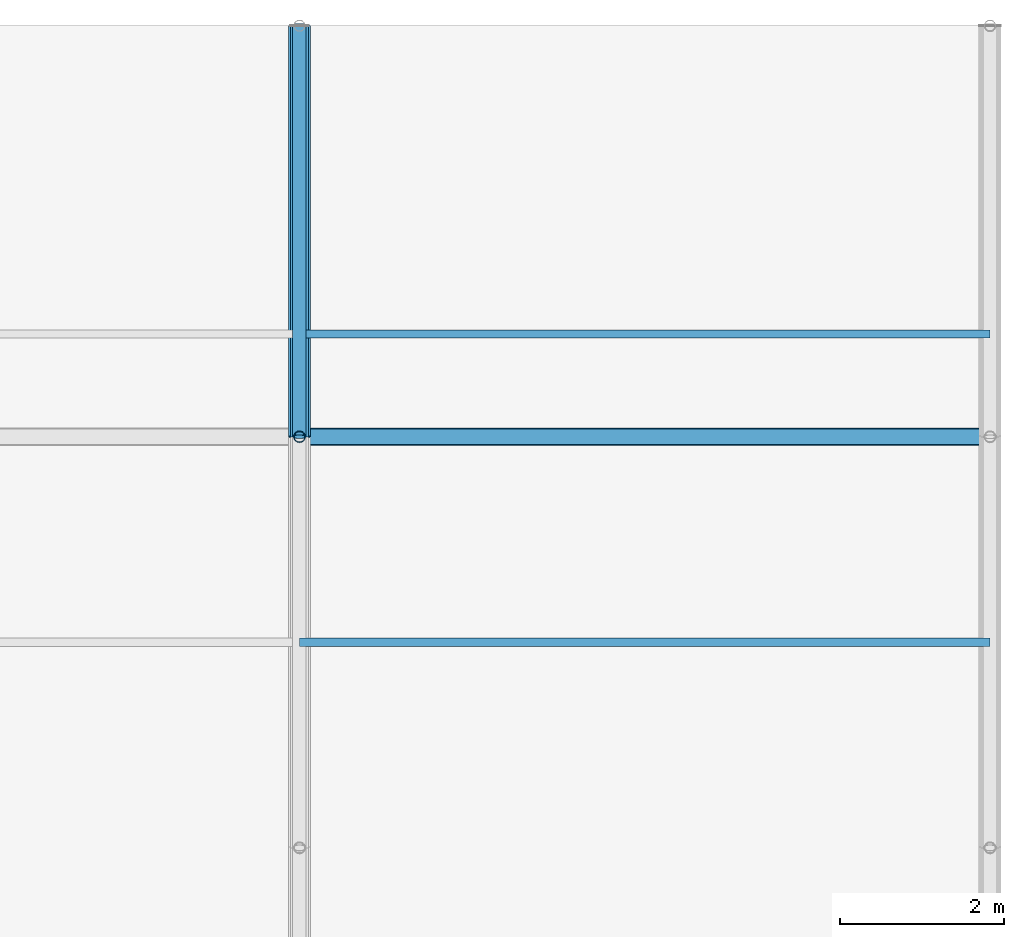
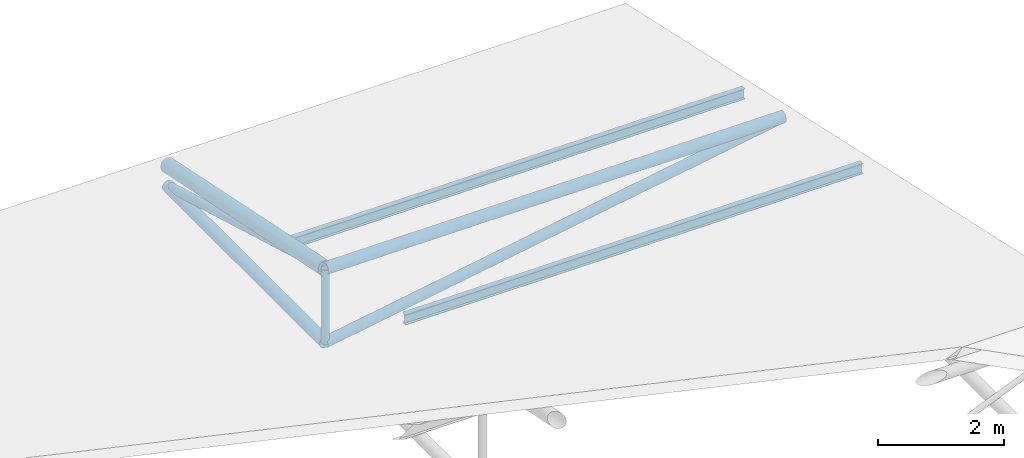
# One storey, part 112 of 194: 6 members, 2 beams.
"""IFC4 building model written with IfcOpenShell, lengths in metres."""

from ifc_helpers import new_model, si_unit, direction, frame, origin, origin_2d, place, context, subcontext, project, spatial, hollow_circle, i_section, extrude, material, material_profile, profile_set, type_object, element, save


model = new_model("IFC4")

# Units and contexts
model_context = context("Model", 3, precision=1e-05, world=origin(), true_north=direction((0.0, 1.0)))
body_context = subcontext(model_context, "Body", "Model", "MODEL_VIEW")
ifc_project = project(units=[si_unit("LENGTHUNIT", "METRE"), si_unit("AREAUNIT", "SQUARE_METRE"), si_unit("VOLUMEUNIT", "CUBIC_METRE"), si_unit("PLANEANGLEUNIT", "RADIAN"), si_unit("MASSUNIT", "GRAM", prefix="KILO")], contexts=[model_context])

# Site, building, storey
site_placement = place(None, origin())
site = spatial("IfcSite", under=ifc_project, at=site_placement, CompositionType="ELEMENT")
building_placement = place(site_placement, origin())
building = spatial("IfcBuilding", under=site, at=building_placement, Name="Kazenagashi Tramway Depot", CompositionType="ELEMENT")
storey_placement = place(building_placement, frame((0.0, 0.0, 23.7)))
storey = spatial("IfcBuildingStorey", under=building, at=storey_placement, Name="ROOF", CompositionType="ELEMENT", Elevation=23.7)

# Beams
ifc_material_1 = material(Name="Steel SN400B", Category="steel")
ifc_material_profile_1 = material_profile(ifc_material_1, i_section(OverallWidth=0.1, OverallDepth=0.2, WebThickness=0.0055, FlangeThickness=0.008, at=origin_2d()), Name="H-200x100x5.5x8")
ifc_profile_set_1 = profile_set([ifc_material_profile_1], Name="Steel SN400B")
beam_type = type_object("IfcBeamType", Name="PR-01", PredefinedType="USERDEFINED", material=ifc_profile_set_1)
for number, where, z_axis, x_axis, name in (
    (1, (187.6, 122.5, -12.13), (1.0, 0.0, 0.0), (0.0, 1.0, 0.0), "Beam PR-01 BM-2215"),
    (2, (187.6, 126.25, -12.955), (1.0, 0.0, 0.0), (0.0, 1.0, 0.0), "Beam PR-01 BM-2233"),
):
    element("IfcBeam", number, at=place(storey_placement, frame(where, z_axis=z_axis, x_axis=x_axis)), inside=storey, type_object=beam_type, Name=name, ObjectType="PURLIN", PredefinedType="USERDEFINED", context=body_context, shape_type="SweptSolid", body=[
        extrude(i_section(OverallWidth=0.1, OverallDepth=0.2, WebThickness=0.0055, FlangeThickness=0.008, at=origin_2d()), origin(), (0.0, 0.0, 1.0), 8.4),
    ])

# Members
ifc_material_2 = material(Name="Steel STK490", Category="steel")
ifc_material_profile_2 = material_profile(ifc_material_2, hollow_circle(Radius=0.1337, WallThickness=0.0093, at=origin_2d()), Name="CHS-267.4x9.3")
ifc_profile_set_2 = profile_set([ifc_material_profile_2], Name="Steel STK490")
member_type_1 = type_object("IfcMemberType", Name="TC-01", PredefinedType="CHORD", material=ifc_profile_set_2)
member_1_placement = place(storey_placement, frame((187.6, 125.0, -12.667), z_axis=(0.0, 0.979317999984, -0.202327098797), x_axis=(-1.0, 0.0, 0.0)))
element("IfcMember", 3, at=member_1_placement, inside=storey, type_object=member_type_1, Name="Tubular Space Frame TC-01 MEM-1084", PredefinedType="CHORD", context=body_context, shape_type="SweptSolid", body=[
    extrude(hollow_circle(Radius=0.1337, WallThickness=0.0093, at=origin_2d()), origin(), (0.0, 0.0, 1.0), 5.105594),
])
ifc_material_profile_3 = material_profile(ifc_material_2, hollow_circle(Radius=0.10815, WallThickness=0.0082, at=origin_2d()), Name="CHS-216.3x8.2")
ifc_profile_set_3 = profile_set([ifc_material_profile_3], Name="Steel STK490")
member_type_2 = type_object("IfcMemberType", Name="TC-02", PredefinedType="CHORD", material=ifc_profile_set_3)
member_2_placement = place(storey_placement, frame((187.6, 125.0, -14.1), z_axis=(0.0, 1.0, 0.0), x_axis=(-1.0, 0.0, 0.0)))
element("IfcMember", 4, at=member_2_placement, inside=storey, type_object=member_type_2, Name="Tubular Space Frame TC-02 MEM-1085", PredefinedType="CHORD", context=body_context, shape_type="SweptSolid", body=[
    extrude(hollow_circle(Radius=0.10815, WallThickness=0.0082, at=origin_2d()), origin(), (0.0, 0.0, 1.0), 5.0),
])
member_3_placement = place(storey_placement, frame((187.6, 125.0, -12.667), z_axis=(1.0, 0.0, 0.0), x_axis=(0.0, 1.0, 0.0)))
element("IfcMember", 5, at=member_3_placement, inside=storey, type_object=member_type_2, Name="Tubular Space Frame TC-02 MEM-1097", PredefinedType="CHORD", context=body_context, shape_type="SweptSolid", body=[
    extrude(hollow_circle(Radius=0.10815, WallThickness=0.0082, at=origin_2d()), origin(), (0.0, 0.0, 1.0), 8.4),
])
ifc_material_profile_4 = material_profile(ifc_material_2, hollow_circle(Radius=0.0826, WallThickness=0.0071, at=origin_2d()), Name="CHS-165.2x7.1")
ifc_profile_set_4 = profile_set([ifc_material_profile_4], Name="Steel STK490")
member_type_3 = type_object("IfcMemberType", Name="TS-01", PredefinedType="STRUT", material=ifc_profile_set_4)
member_4_placement = place(storey_placement, frame((187.6, 125.0, -12.667), z_axis=(0.0, 0.961298717795, -0.27550821252), x_axis=(-1.0, 0.0, 0.0)))
element("IfcMember", 6, at=member_4_placement, inside=storey, type_object=member_type_3, Name="Tubular Space Frame TS-01 MEM-1086", PredefinedType="STRUT", context=body_context, shape_type="SweptSolid", body=[
    extrude(hollow_circle(Radius=0.0826, WallThickness=0.0071, at=origin_2d()), origin(), (0.0, 0.0, 1.0), 5.201297),
])
ifc_material_profile_5 = material_profile(ifc_material_2, hollow_circle(Radius=0.0699, WallThickness=0.0066, at=origin_2d()), Name="CHS-139.8x6.6")
ifc_profile_set_5 = profile_set([ifc_material_profile_5], Name="Steel STK490")
member_type_4 = type_object("IfcMemberType", Name="TS-02", PredefinedType="STRUT", material=ifc_profile_set_5)
member_5_placement = place(storey_placement, frame((187.6, 125.0, -14.1), z_axis=(0.0, 0.0, 1.0), x_axis=(1.0, 0.0, 0.0)))
element("IfcMember", 7, at=member_5_placement, inside=storey, type_object=member_type_4, Name="Tubular Space Frame TS-02 MEM-1091", PredefinedType="STRUT", context=body_context, shape_type="SweptSolid", body=[
    extrude(hollow_circle(Radius=0.0699, WallThickness=0.0066, at=origin_2d()), origin(), (0.0, 0.0, 1.0), 1.433),
])
ifc_material_profile_6 = material_profile(ifc_material_2, hollow_circle(Radius=0.09535, WallThickness=0.007, at=origin_2d()), Name="CHS-190.7x7.0")
ifc_profile_set_6 = profile_set([ifc_material_profile_6], Name="Steel STK490")
member_type_5 = type_object("IfcMemberType", Name="TS-05", PredefinedType="STRUT", material=ifc_profile_set_6)
member_6_placement = place(storey_placement, frame((187.6, 125.0, -14.1), z_axis=(0.985758734117, 0.0, 0.168165745951), x_axis=(0.0, 1.0, 0.0)))
element("IfcMember", 8, at=member_6_placement, inside=storey, type_object=member_type_5, Name="Tubular Space Frame TS-05 MEM-1098", PredefinedType="STRUT", context=body_context, shape_type="SweptSolid", body=[
    extrude(hollow_circle(Radius=0.09535, WallThickness=0.007, at=origin_2d()), origin(), (0.0, 0.0, 1.0), 8.521355),
])

save(model, "model.ifc")
